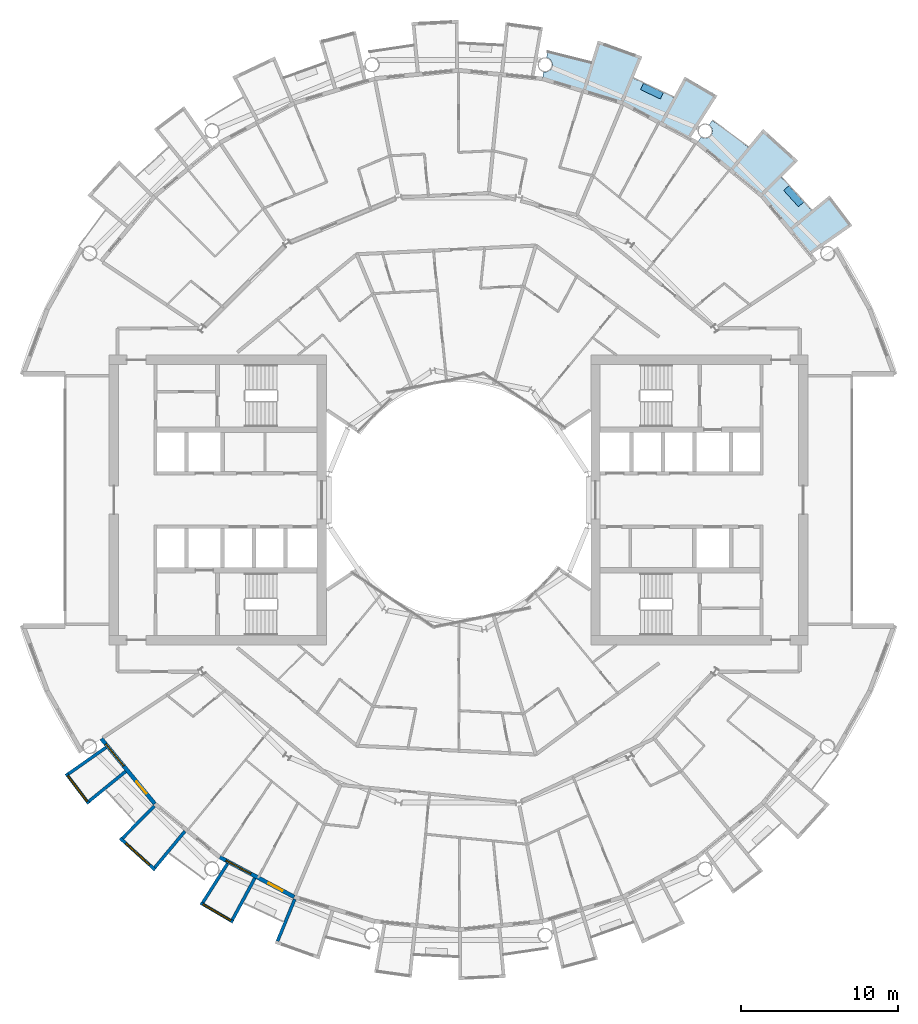
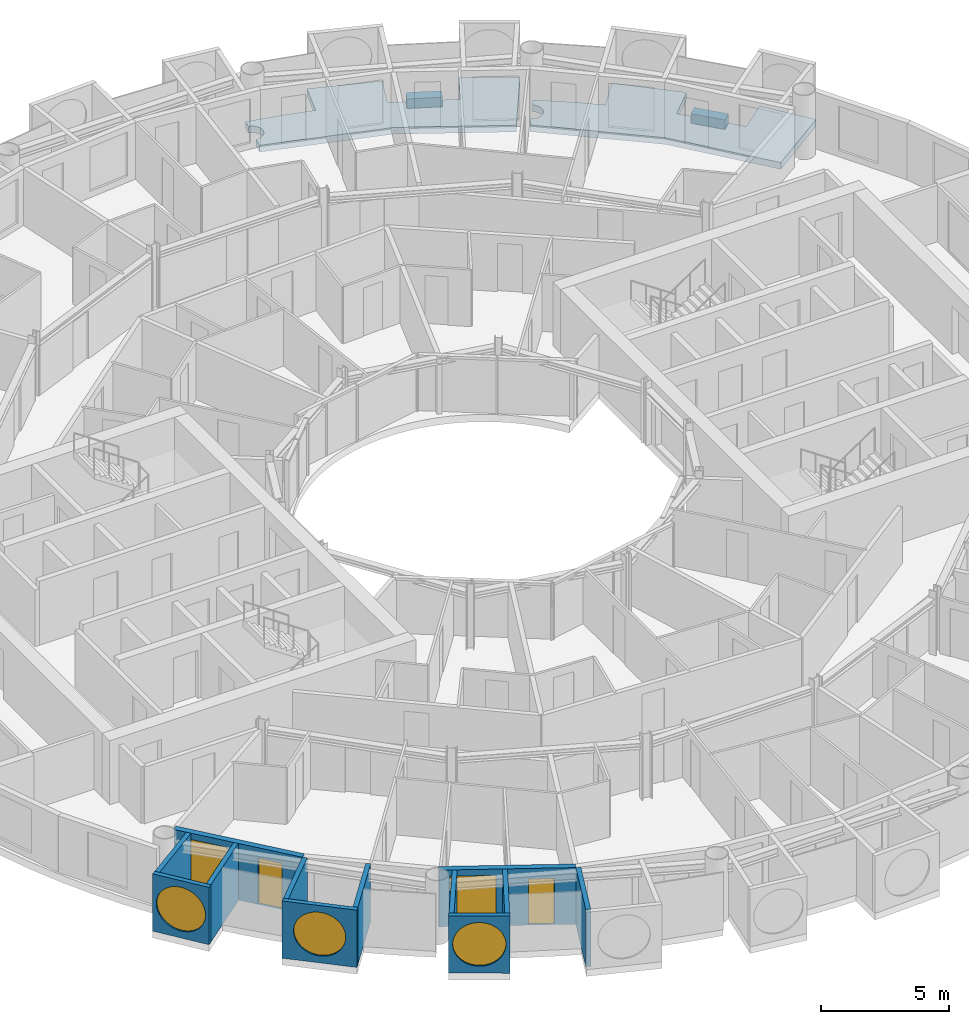
# One storey, part 13 of 27: 12 walls, 5 windows, 4 slabs, 2 doors, 7 openings.
"""IFC4 building model written with IfcOpenShell, lengths in metres."""

from ifc_helpers import new_model, si_unit, direction, frame, frame_2d, origin, place, context, subcontext, project, spatial, polyline, rectangle, circle, outline, extrude, material, layer, layer_set, type_object, element, fill, save


model = new_model("IFC4")

# Units and contexts
model_context = context("Model", 3, precision=1e-05, world=origin(), true_north=direction((0.0, 1.0)))
body_context = subcontext(model_context, "Body", "Model", "MODEL_VIEW")
ifc_project = project(units=[si_unit("LENGTHUNIT", "METRE"), si_unit("AREAUNIT", "SQUARE_METRE"), si_unit("VOLUMEUNIT", "CUBIC_METRE"), si_unit("PLANEANGLEUNIT", "RADIAN"), si_unit("MASSUNIT", "GRAM", prefix="KILO")], contexts=[model_context])

# Site, building, storey
site_placement = place(None, origin())
site = spatial("IfcSite", under=ifc_project, at=site_placement, CompositionType="ELEMENT")
building_placement = place(site_placement, origin())
building = spatial("IfcBuilding", under=site, at=building_placement, Name="Maasbend Ring Residences", CompositionType="ELEMENT")
storey_placement = place(building_placement, frame((0.0, 0.0, 114.699951171875)))
storey = spatial("IfcBuildingStorey", under=building, at=storey_placement, Name="L32", CompositionType="ELEMENT", Elevation=114.699951171875)

# Slabs
ifc_material_1 = material(Name="Planting with climbing greenery")
ifc_layer_1 = layer(ifc_material_1, 0.449951171875)
ifc_layer_set_1 = layer_set([ifc_layer_1], Name="PLANTER-LG")
slab_type_1 = type_object("IfcSlabType", Name="PLANTER-LG", PredefinedType="USERDEFINED", material=ifc_layer_set_1)
slab_1_placement = place(storey_placement, frame((0.0, 0.0, -0.030029296875)))
element("IfcSlab", 1, at=slab_1_placement, inside=storey, type_object=slab_type_1, Name="Planter with climbing greenery 1", ObjectType="PLANTER", PredefinedType="USERDEFINED", context=body_context, shape_type="SweptSolid", body=[
    extrude(outline(polyline([(21.931884765625, 18.93310546875), (20.991943359375, 19.969970703125), (20.657958984375, 19.66796875), (21.597900390625, 18.631103515625), (21.931884765625, 18.93310546875)])), origin(), (0.0, 0.0, 1.0), 0.4501953125),
])
slab_2_placement = place(storey_placement, frame((0.0, 0.0, -0.030029296875)))
element("IfcSlab", 2, at=slab_2_placement, inside=storey, type_object=slab_type_1, Name="Planter with climbing greenery 2", ObjectType="PLANTER", PredefinedType="USERDEFINED", context=body_context, shape_type="SweptSolid", body=[
    extrude(outline(polyline([(13.01708984375, 25.885009765625), (11.7509765625, 26.48291015625), (11.55908203125, 26.076904296875), (12.824951171875, 25.47802734375), (13.01708984375, 25.885009765625)])), origin(), (0.0, 0.0, 1.0), 0.4501953125),
])
ifc_material_2 = material(Name="Concrete C40/50", Category="concrete")
ifc_layer_2 = layer(ifc_material_2, 0.199951171875)
ifc_layer_set_2 = layer_set([ifc_layer_2], Name="Concrete C40/50")
slab_type_2 = type_object("IfcSlabType", Name="SL-LOGGIA", PredefinedType="FLOOR", material=ifc_layer_set_2)
slab_3_placement = place(storey_placement, frame((0.0, 0.0, -0.349853515625)))
element("IfcSlab", 3, at=slab_3_placement, inside=storey, type_object=slab_type_2, Name="Loggia floor 2", PredefinedType="FLOOR", context=body_context, shape_type="SweptSolid", body=[
    extrude(outline(polyline([(5.446044921875, 27.205078125), (5.45703125, 27.202880859375), (5.468017578125, 27.201904296875), (5.47900390625, 27.201904296875), (5.489990234375, 27.200927734375), (5.501953125, 27.200927734375), (5.512939453125, 27.200927734375), (5.52392578125, 27.201904296875), (5.534912109375, 27.201904296875), (5.5458984375, 27.202880859375), (5.556884765625, 27.205078125), (5.569091796875, 27.2060546875), (5.580078125, 27.2080078125), (5.591064453125, 27.2099609375), (5.60205078125, 27.2119140625), (5.613037109375, 27.215087890625), (5.623046875, 27.218017578125), (5.634033203125, 27.220947265625), (5.64501953125, 27.22412109375), (5.655029296875, 27.22802734375), (5.666015625, 27.23193359375), (5.676025390625, 27.236083984375), (5.68701171875, 27.239990234375), (5.697021484375, 27.2451171875), (5.70703125, 27.25), (5.717041015625, 27.2548828125), (5.72705078125, 27.260009765625), (5.736083984375, 27.26611328125), (5.74609375, 27.27197265625), (5.7548828125, 27.278076171875), (5.764892578125, 27.283935546875), (5.77392578125, 27.291015625), (5.782958984375, 27.298095703125), (5.791015625, 27.304931640625), (5.800048828125, 27.31201171875), (5.80810546875, 27.319091796875), (5.81689453125, 27.326904296875), (5.824951171875, 27.3349609375), (5.83203125, 27.343017578125), (5.840087890625, 27.35107421875), (5.847900390625, 27.360107421875), (5.85498046875, 27.367919921875), (5.862060546875, 27.376953125), (5.868896484375, 27.385986328125), (5.875, 27.39501953125), (5.881103515625, 27.404052734375), (5.887939453125, 27.4140625), (5.89306640625, 27.423095703125), (5.89892578125, 27.43310546875), (5.905029296875, 27.443115234375), (5.909912109375, 27.452880859375), (5.9150390625, 27.462890625), (5.9189453125, 27.472900390625), (5.924072265625, 27.48291015625), (5.927978515625, 27.493896484375), (5.931884765625, 27.50390625), (5.93505859375, 27.514892578125), (5.93896484375, 27.52490234375), (5.94189453125, 27.535888671875), (5.945068359375, 27.547119140625), (5.947021484375, 27.55810546875), (5.949951171875, 27.569091796875), (5.951904296875, 27.580078125), (5.9541015625, 27.591064453125), (5.955078125, 27.60205078125), (5.9560546875, 27.613037109375), (5.95703125, 27.6240234375), (5.9580078125, 27.635986328125), (5.9580078125, 27.64697265625), (5.9580078125, 27.657958984375), (5.9580078125, 27.6689453125), (5.9580078125, 27.680908203125), (5.95703125, 27.69189453125), (5.9560546875, 27.702880859375), (5.955078125, 27.714111328125), (5.9541015625, 27.72509765625), (5.951904296875, 27.736083984375), (5.949951171875, 27.7470703125), (5.947021484375, 27.758056640625), (5.945068359375, 27.76904296875), (5.94189453125, 27.780029296875), (5.93896484375, 27.791015625), (5.93505859375, 27.801025390625), (5.931884765625, 27.81201171875), (5.927978515625, 27.822998046875), (5.924072265625, 27.8330078125), (5.9189453125, 27.843017578125), (5.9150390625, 27.85302734375), (5.909912109375, 27.864013671875), (5.905029296875, 27.8740234375), (5.89892578125, 27.883056640625), (5.89306640625, 27.89306640625), (5.887939453125, 27.903076171875), (5.881103515625, 27.912109375), (5.875, 27.9208984375), (5.868896484375, 27.929931640625), (5.862060546875, 27.93896484375), (5.85498046875, 27.947998046875), (5.847900390625, 27.95703125), (5.840087890625, 27.965087890625), (5.83203125, 27.972900390625), (5.824951171875, 27.98095703125), (5.81689453125, 27.989013671875), (5.80810546875, 27.9970703125), (5.800048828125, 28.00390625), (5.791015625, 28.010986328125), (5.782958984375, 28.01806640625), (5.77392578125, 28.02490234375), (5.764892578125, 28.031982421875), (5.7548828125, 28.0380859375), (5.74609375, 28.0439453125), (5.736083984375, 28.050048828125), (5.72705078125, 28.055908203125), (5.717041015625, 28.06103515625), (5.70703125, 28.06591796875), (5.697021484375, 28.071044921875), (5.68701171875, 28.075927734375), (5.676025390625, 28.080078125), (5.666015625, 28.083984375), (5.655029296875, 28.087890625), (5.64501953125, 28.092041015625), (5.634033203125, 28.094970703125), (5.623046875, 28.09912109375), (5.613037109375, 28.10107421875), (5.60205078125, 28.10400390625), (5.591064453125, 28.10595703125), (5.657958984375, 28.443115234375), (5.657958984375, 28.443115234375), (5.657958984375, 28.443115234375), (6.5849609375, 28.241943359375), (6.5849609375, 28.241943359375), (7.506103515625, 28.011962890625), (7.506103515625, 28.011962890625), (8.41796875, 27.7509765625), (8.41796875, 27.7509765625), (8.41796875, 27.7509765625), (8.41796875, 27.7509765625), (8.41796875, 27.7509765625), (8.41796875, 27.7509765625), (8.41796875, 27.7509765625), (8.41796875, 27.7509765625), (8.41796875, 27.7509765625), (8.41796875, 27.7509765625), (8.41796875, 27.751953125), (8.41796875, 27.751953125), (8.41796875, 27.751953125), (8.41796875, 27.751953125), (8.41796875, 27.751953125), (8.41796875, 27.751953125), (8.41796875, 27.751953125), (8.85400390625, 29.18701171875), (8.85400390625, 29.18701171875), (8.85400390625, 29.18701171875), (11.672119140625, 28.177978515625), (11.672119140625, 28.177978515625), (11.672119140625, 28.177978515625), (11.097900390625, 26.79296875), (11.097900390625, 26.79296875), (11.097900390625, 26.79296875), (11.097900390625, 26.79296875), (11.097900390625, 26.79296875), (11.097900390625, 26.79296875), (11.097900390625, 26.79296875), (11.097900390625, 26.79296875), (11.097900390625, 26.79296875), (11.097900390625, 26.79296875), (11.097900390625, 26.7919921875), (11.097900390625, 26.7919921875), (11.097900390625, 26.7919921875), (11.097900390625, 26.7919921875), (11.097900390625, 26.7919921875), (11.097900390625, 26.7919921875), (11.097900390625, 26.7919921875), (11.968994140625, 26.4150390625), (11.968994140625, 26.4150390625), (12.825927734375, 26.009033203125), (12.825927734375, 26.009033203125), (13.669921875, 25.575927734375), (13.669921875, 25.575927734375), (13.669921875, 25.575927734375), (13.669921875, 25.575927734375), (13.669921875, 25.575927734375), (13.669921875, 25.575927734375), (13.669921875, 25.575927734375), (13.669921875, 25.575927734375), (13.669921875, 25.575927734375), (13.669921875, 25.575927734375), (13.6708984375, 25.575927734375), (13.6708984375, 25.575927734375), (13.6708984375, 25.575927734375), (13.6708984375, 25.575927734375), (13.6708984375, 25.575927734375), (13.6708984375, 25.575927734375), (13.6708984375, 25.575927734375), (14.3779296875, 26.89892578125), (14.3779296875, 26.89892578125), (14.3779296875, 26.89892578125), (16.44091796875, 25.68994140625), (16.44091796875, 25.68994140625), (16.44091796875, 25.68994140625), (14.68994140625, 22.9541015625), (14.68994140625, 22.9541015625), (14.68994140625, 22.9541015625), (12.806884765625, 23.9609375), (10.447021484375, 25.221923828125), (10.447021484375, 25.221923828125), (10.447021484375, 25.221923828125), (7.886962890625, 25.9990234375), (5.325927734375, 26.77490234375), (5.325927734375, 26.77490234375), (5.325927734375, 26.77490234375), (5.412109375, 27.2099609375), (5.423095703125, 27.2080078125), (5.43408203125, 27.2060546875), (5.446044921875, 27.205078125)])), origin(), (0.0, 0.0, 1.0), 0.31982421875),
])
slab_4_placement = place(storey_placement, frame((0.0, 0.0, -0.349853515625)))
element("IfcSlab", 4, at=slab_4_placement, inside=storey, type_object=slab_type_2, Name="Loggia floor 5", PredefinedType="FLOOR", context=body_context, shape_type="SweptSolid", body=[
    extrude(outline(polyline([(15.431884765625, 23.054931640625), (15.44189453125, 23.050048828125), (15.451904296875, 23.0439453125), (15.4619140625, 23.0390625), (15.471923828125, 23.033935546875), (15.48193359375, 23.030029296875), (15.491943359375, 23.02490234375), (15.5029296875, 23.02099609375), (15.512939453125, 23.01708984375), (15.52392578125, 23.012939453125), (15.533935546875, 23.010009765625), (15.544921875, 23.007080078125), (15.555908203125, 23.00390625), (15.56689453125, 23.001953125), (15.577880859375, 22.9990234375), (15.589111328125, 22.9970703125), (15.60009765625, 22.9951171875), (15.611083984375, 22.993896484375), (15.6220703125, 22.992919921875), (15.633056640625, 22.991943359375), (15.64501953125, 22.990966796875), (15.656005859375, 22.990966796875), (15.6669921875, 22.989990234375), (15.677978515625, 22.990966796875), (15.68994140625, 22.990966796875), (15.700927734375, 22.991943359375), (15.7119140625, 22.992919921875), (15.722900390625, 22.993896484375), (15.73388671875, 22.9951171875), (15.7451171875, 22.9970703125), (15.756103515625, 22.9990234375), (15.76708984375, 23.001953125), (15.778076171875, 23.00390625), (15.7890625, 23.007080078125), (15.800048828125, 23.010009765625), (15.81005859375, 23.012939453125), (15.821044921875, 23.01708984375), (15.83203125, 23.02099609375), (15.842041015625, 23.02490234375), (15.85205078125, 23.030029296875), (15.862060546875, 23.033935546875), (15.873046875, 23.0390625), (15.883056640625, 23.0439453125), (15.89208984375, 23.050048828125), (15.902099609375, 23.054931640625), (15.912109375, 23.06103515625), (15.9208984375, 23.06689453125), (15.929931640625, 23.073974609375), (15.93896484375, 23.080078125), (15.947998046875, 23.0869140625), (15.95703125, 23.093994140625), (15.966064453125, 23.10107421875), (15.97412109375, 23.10888671875), (15.98193359375, 23.115966796875), (15.989990234375, 23.1240234375), (15.998046875, 23.132080078125), (16.006103515625, 23.139892578125), (16.012939453125, 23.14892578125), (16.02001953125, 23.156982421875), (16.027099609375, 23.166015625), (16.033935546875, 23.175048828125), (16.041015625, 23.18408203125), (16.047119140625, 23.194091796875), (16.052978515625, 23.202880859375), (16.05908203125, 23.2119140625), (16.06494140625, 23.221923828125), (16.070068359375, 23.23193359375), (16.074951171875, 23.241943359375), (16.080078125, 23.251953125), (16.0849609375, 23.261962890625), (16.089111328125, 23.27294921875), (16.093017578125, 23.282958984375), (16.096923828125, 23.29296875), (16.10107421875, 23.303955078125), (16.10400390625, 23.31494140625), (16.10791015625, 23.325927734375), (16.110107421875, 23.3359375), (16.113037109375, 23.346923828125), (16.114990234375, 23.35791015625), (16.116943359375, 23.368896484375), (16.118896484375, 23.3798828125), (16.12109375, 23.39111328125), (16.1220703125, 23.403076171875), (16.123046875, 23.4140625), (16.1240234375, 23.425048828125), (16.1240234375, 23.43603515625), (16.1240234375, 23.447021484375), (16.1240234375, 23.458984375), (16.1240234375, 23.469970703125), (16.123046875, 23.48095703125), (16.1220703125, 23.491943359375), (16.12109375, 23.5029296875), (16.118896484375, 23.513916015625), (16.116943359375, 23.52587890625), (16.114990234375, 23.537109375), (16.113037109375, 23.548095703125), (16.110107421875, 23.55810546875), (16.10791015625, 23.569091796875), (16.10400390625, 23.580078125), (16.10107421875, 23.591064453125), (16.096923828125, 23.60107421875), (16.093017578125, 23.612060546875), (16.089111328125, 23.6220703125), (16.0849609375, 23.633056640625), (16.080078125, 23.64306640625), (16.074951171875, 23.653076171875), (16.070068359375, 23.6630859375), (16.06494140625, 23.673095703125), (16.05908203125, 23.681884765625), (16.052978515625, 23.69189453125), (16.047119140625, 23.700927734375), (16.041015625, 23.7109375), (16.033935546875, 23.719970703125), (16.027099609375, 23.72900390625), (16.02001953125, 23.737060546875), (16.012939453125, 23.74609375), (16.006103515625, 23.75390625), (15.998046875, 23.762939453125), (15.989990234375, 23.77099609375), (15.98193359375, 23.778076171875), (15.97412109375, 23.785888671875), (15.966064453125, 23.79296875), (15.95703125, 23.801025390625), (15.947998046875, 23.80810546875), (15.93896484375, 23.81396484375), (15.929931640625, 23.821044921875), (15.9208984375, 23.826904296875), (15.9208984375, 23.826904296875), (16.112060546875, 24.113037109375), (16.112060546875, 24.113037109375), (16.112060546875, 24.113037109375), (16.89208984375, 23.572998046875), (16.89208984375, 23.572998046875), (17.654052734375, 23.007080078125), (17.654052734375, 23.007080078125), (18.39697265625, 22.41796875), (18.39697265625, 22.41796875), (18.39697265625, 22.41796875), (18.39697265625, 22.41796875), (18.39697265625, 22.41796875), (18.39697265625, 22.41796875), (18.39697265625, 22.41796875), (18.39697265625, 22.41796875), (18.39697265625, 22.41796875), (18.39697265625, 22.41796875), (18.39697265625, 22.41796875), (18.39794921875, 22.41796875), (18.39794921875, 22.41796875), (18.39794921875, 22.41796875), (18.39794921875, 22.41796875), (18.39794921875, 22.41796875), (18.39794921875, 22.41796875), (19.34912109375, 23.576904296875), (19.34912109375, 23.576904296875), (19.34912109375, 23.576904296875), (21.56689453125, 21.56689453125), (21.56689453125, 21.56689453125), (21.56689453125, 21.56689453125), (20.506103515625, 20.506103515625), (20.506103515625, 20.506103515625), (20.506103515625, 20.506103515625), (20.506103515625, 20.506103515625), (20.506103515625, 20.506103515625), (20.506103515625, 20.506103515625), (20.506103515625, 20.506103515625), (20.506103515625, 20.506103515625), (20.506103515625, 20.506103515625), (20.506103515625, 20.506103515625), (20.506103515625, 20.506103515625), (20.506103515625, 20.506103515625), (20.506103515625, 20.506103515625), (20.506103515625, 20.506103515625), (20.506103515625, 20.506103515625), (20.506103515625, 20.506103515625), (20.506103515625, 20.506103515625), (21.166015625, 19.823974609375), (21.166015625, 19.823974609375), (21.802978515625, 19.12109375), (21.802978515625, 19.12109375), (22.4169921875, 18.39794921875), (22.4169921875, 18.39794921875), (22.4169921875, 18.39794921875), (22.4169921875, 18.39794921875), (22.4169921875, 18.39794921875), (22.4169921875, 18.39794921875), (22.4169921875, 18.39794921875), (22.4169921875, 18.39794921875), (22.4169921875, 18.39794921875), (22.4169921875, 18.39794921875), (22.4169921875, 18.39794921875), (22.4169921875, 18.39794921875), (22.41796875, 18.39794921875), (22.41796875, 18.39794921875), (22.41796875, 18.39794921875), (22.41796875, 18.39794921875), (22.41796875, 18.39794921875), (23.576904296875, 19.34912109375), (23.576904296875, 19.34912109375), (23.576904296875, 19.34912109375), (25.02001953125, 17.44189453125), (25.02001953125, 17.44189453125), (25.02001953125, 17.44189453125), (22.35595703125, 15.5849609375), (22.35595703125, 15.5849609375), (22.35595703125, 15.5849609375), (21.001953125, 17.236083984375), (19.303955078125, 19.303955078125), (19.303955078125, 19.303955078125), (19.303955078125, 19.303955078125), (17.236083984375, 21.001953125), (15.1669921875, 22.698974609375), (15.1669921875, 22.698974609375), (15.1669921875, 22.698974609375), (15.4130859375, 23.06689453125), (15.4130859375, 23.06689453125), (15.423095703125, 23.06103515625), (15.431884765625, 23.054931640625)])), origin(), (0.0, 0.0, 1.0), 0.31982421875),
])

# Wall, opening, window
ifc_material_3 = material(Name="Pale anodised aluminium panel", Category="aluminium")
ifc_layer_3 = layer(ifc_material_3, 0.199951171875)
ifc_layer_set_3 = layer_set([ifc_layer_3], Name="EW-BOX")
wall_type_1 = type_object("IfcWallType", Name="EW-BOX", PredefinedType="SOLIDWALL", material=ifc_layer_set_3)
wall_1_placement = place(storey_placement, frame((-24.93994140625, -17.382080078125, -0.030029296875), z_axis=(0.0, 0.0, 1.0), x_axis=(0.603375996329, -0.797456837111, 0.0)))
wall_1 = element("IfcWall", 5, at=wall_1_placement, inside=storey, type_object=wall_type_1, Name="Box front S01", PredefinedType="SOLIDWALL", context=body_context, shape_type="SweptSolid", body=[
    extrude(rectangle(XDim=2.391357421875, YDim=0.199951171875, at=frame_2d((1.19580078125, 0.0))), origin(), (0.0, 0.0, 1.0), 2.72998046875),
])
opening_1_placement = place(wall_1_placement, frame((0.15576171875, 0.0, 0.330078125)))
opening_1 = element("IfcOpeningElement", 6, at=opening_1_placement, cuts=wall_1, Name="Opening W-RD", PredefinedType="OPENING", context=body_context, shape_type="SweptSolid", body=[
    extrude(circle(Radius=1.0400390625, at=frame_2d((1.0400390625, 1.0400390625))), frame((0.0, 0.10986328125, 0.0), z_axis=(0.0, -1.0, 0.0), x_axis=(1.0, 0.0, 0.0)), (0.0, 0.0, 1.0), 0.219970703125),
])
ifc_material_4 = material(Name="Aluminium and clear glass", Category="aluminium")
window_type_1 = type_object("IfcWindowType", Name="W-RD", PartitioningType="SINGLE_PANEL", PredefinedType="WINDOW", material=ifc_material_4)
window_1_placement = place(opening_1_placement, origin())
window_1 = element("IfcWindow", 7, at=window_1_placement, inside=storey, type_object=window_type_1, Name="Round window S01", OverallHeight=2.080078125, OverallWidth=2.080078125, PartitioningType="SINGLE_PANEL", PredefinedType="WINDOW", context=body_context, shape_type="SweptSolid", body=[
    extrude(circle(Radius=1.0400390625, at=frame_2d((1.0400390625, 1.0400390625))), frame((0.0, 0.030029296875, 0.0), z_axis=(0.0, -1.0, 0.0), x_axis=(1.0, 0.0, 0.0)), (0.0, 0.0, 1.0), 0.06005859375),
])
fill(opening_1, window_1)

# Walls
wall_2_placement = place(storey_placement, frame((-22.402099609375, -15.72607421875, -0.030029296875), z_axis=(0.0, 0.0, 1.0), x_axis=(-0.818275399393, -0.574826383135, 0.0)))
element("IfcWall", 8, at=wall_2_placement, inside=storey, type_object=wall_type_1, Name="Box side wall S01 left", PredefinedType="SOLIDWALL", context=body_context, shape_type="SweptSolid", body=[
    extrude(rectangle(XDim=2.92919921875, YDim=0.199951171875, at=frame_2d((1.464599609375, 0.0))), origin(), (0.0, 0.0, 1.0), 2.72998046875),
])
wall_3_placement = place(storey_placement, frame((-21.155029296875, -17.24609375, -0.030029296875), z_axis=(0.0, 0.0, 1.0), x_axis=(-0.775179004516, -0.631741648902, 0.0)))
element("IfcWall", 9, at=wall_3_placement, inside=storey, type_object=wall_type_1, Name="Box side wall S01 right", PredefinedType="SOLIDWALL", context=body_context, shape_type="SweptSolid", body=[
    extrude(rectangle(XDim=3.005859375, YDim=0.199951171875, at=frame_2d((1.5029296875, 0.0))), origin(), (0.0, 0.0, 1.0), 2.72998046875),
])

# Wall, opening, window
wall_4_placement = place(storey_placement, frame((-21.5, -21.492919921875, -0.030029296875), z_axis=(0.0, 0.0, 1.0), x_axis=(0.740998365753, -0.671506829416, 0.0)))
wall_4 = element("IfcWall", 10, at=wall_4_placement, inside=storey, type_object=wall_type_1, Name="Box front S03", PredefinedType="SOLIDWALL", context=body_context, shape_type="SweptSolid", body=[
    extrude(rectangle(XDim=2.9931640625, YDim=0.199951171875, at=frame_2d((1.49658203125, 0.0))), origin(), (0.0, 0.0, 1.0), 2.72998046875),
])
opening_2_placement = place(wall_4_placement, frame((0.45654296875, 0.0, 0.330078125)))
opening_2 = element("IfcOpeningElement", 11, at=opening_2_placement, cuts=wall_4, Name="Opening W-RD", PredefinedType="OPENING", context=body_context, shape_type="SweptSolid", body=[
    extrude(circle(Radius=1.0400390625, at=frame_2d((1.0400390625, 1.0400390625))), frame((0.0, 0.10986328125, 0.0), z_axis=(0.0, -1.0, 0.0), x_axis=(1.0, 0.0, 0.0)), (0.0, 0.0, 1.0), 0.219970703125),
])
window_2_placement = place(opening_2_placement, origin())
window_2 = element("IfcWindow", 12, at=window_2_placement, inside=storey, type_object=window_type_1, Name="Round window S03", OverallHeight=2.080078125, OverallWidth=2.080078125, PartitioningType="SINGLE_PANEL", PredefinedType="WINDOW", context=body_context, shape_type="SweptSolid", body=[
    extrude(circle(Radius=1.0400390625, at=frame_2d((1.0400390625, 1.0400390625))), frame((0.0, 0.030029296875, 0.0), z_axis=(0.0, -1.0, 0.0), x_axis=(1.0, 0.0, 0.0)), (0.0, 0.0, 1.0), 0.06005859375),
])
fill(opening_2, window_2)

# Walls
wall_5_placement = place(storey_placement, frame((-19.322998046875, -19.449951171875, -0.030029296875), z_axis=(0.0, 0.0, 1.0), x_axis=(-0.704476739375, -0.709727076896, 0.0)))
element("IfcWall", 13, at=wall_5_placement, inside=storey, type_object=wall_type_1, Name="Box side wall S03 left", PredefinedType="SOLIDWALL", context=body_context, shape_type="SweptSolid", body=[
    extrude(rectangle(XDim=2.883056640625, YDim=0.199951171875, at=frame_2d((1.44140625, 0.0))), origin(), (0.0, 0.0, 1.0), 2.72998046875),
])
wall_6_placement = place(storey_placement, frame((-17.384033203125, -21.041015625, -0.030029296875), z_axis=(0.0, 0.0, 1.0), x_axis=(-0.63709551667, -0.770784861449, 0.0)))
element("IfcWall", 14, at=wall_6_placement, inside=storey, type_object=wall_type_1, Name="Box side wall S03 right", PredefinedType="SOLIDWALL", context=body_context, shape_type="SweptSolid", body=[
    extrude(rectangle(XDim=3.005859375, YDim=0.199951171875, at=frame_2d((1.5029296875, 0.0))), origin(), (0.0, 0.0, 1.0), 2.72998046875),
])

# Wall, opening, window
wall_7_placement = place(storey_placement, frame((-16.389892578125, -25.60302734375, -0.030029296875), z_axis=(0.0, 0.0, 1.0), x_axis=(0.862762477128, -0.505609442218, 0.0)))
wall_7 = element("IfcWall", 15, at=wall_7_placement, inside=storey, type_object=wall_type_1, Name="Box front S05", PredefinedType="SOLIDWALL", context=body_context, shape_type="SweptSolid", body=[
    extrude(rectangle(XDim=2.39111328125, YDim=0.199951171875, at=frame_2d((1.195556640625, 0.0))), origin(), (0.0, 0.0, 1.0), 2.72998046875),
])
opening_3_placement = place(wall_7_placement, frame((0.15576171875, 0.0, 0.330078125)))
opening_3 = element("IfcOpeningElement", 16, at=opening_3_placement, cuts=wall_7, Name="Opening W-RD", PredefinedType="OPENING", context=body_context, shape_type="SweptSolid", body=[
    extrude(circle(Radius=1.0400390625, at=frame_2d((1.0400390625, 1.0400390625))), frame((0.0, 0.10986328125, 0.0), z_axis=(0.0, -1.0, 0.0), x_axis=(1.0, 0.0, 0.0)), (0.0, 0.0, 1.0), 0.219970703125),
])
window_3_placement = place(opening_3_placement, origin())
window_3 = element("IfcWindow", 17, at=window_3_placement, inside=storey, type_object=window_type_1, Name="Round window S05", OverallHeight=2.080078125, OverallWidth=2.080078125, PartitioningType="SINGLE_PANEL", PredefinedType="WINDOW", context=body_context, shape_type="SweptSolid", body=[
    extrude(circle(Radius=1.0400390625, at=frame_2d((1.0400390625, 1.0400390625))), frame((0.0, 0.030029296875, 0.0), z_axis=(0.0, -1.0, 0.0), x_axis=(1.0, 0.0, 0.0)), (0.0, 0.0, 1.0), 0.06005859375),
])
fill(opening_3, window_3)

# Walls
wall_8_placement = place(storey_placement, frame((-14.677978515625, -23.10205078125, -0.030029296875), z_axis=(0.0, 0.0, 1.0), x_axis=(-0.536001536573, -0.844217005746, 0.0)))
element("IfcWall", 18, at=wall_8_placement, inside=storey, type_object=wall_type_1, Name="Box side wall S05 left", PredefinedType="SOLIDWALL", context=body_context, shape_type="SweptSolid", body=[
    extrude(rectangle(XDim=2.92919921875, YDim=0.199951171875, at=frame_2d((1.464599609375, 0.0))), origin(), (0.0, 0.0, 1.0), 2.72998046875),
])
wall_9_placement = place(storey_placement, frame((-12.945068359375, -24.029052734375, -0.030029296875), z_axis=(0.0, 0.0, 1.0), x_axis=(-0.474424310775, -0.88029629861, 0.0)))
element("IfcWall", 19, at=wall_9_placement, inside=storey, type_object=wall_type_1, Name="Box side wall S05 right", PredefinedType="SOLIDWALL", context=body_context, shape_type="SweptSolid", body=[
    extrude(rectangle(XDim=3.005859375, YDim=0.199951171875, at=frame_2d((1.5029296875, 0.0))), origin(), (0.0, 0.0, 1.0), 2.72998046875),
])
wall_10_placement = place(storey_placement, frame((-10.408935546875, -25.364013671875, -0.030029296875), z_axis=(0.0, 0.0, 1.0), x_axis=(-0.379509886562, -0.925187681501, 0.0)))
element("IfcWall", 20, at=wall_10_placement, inside=storey, type_object=wall_type_1, Name="Box side wall S07 left", PredefinedType="SOLIDWALL", context=body_context, shape_type="SweptSolid", body=[
    extrude(rectangle(XDim=2.882568359375, YDim=0.199951171875, at=frame_2d((1.44140625, 0.0))), origin(), (0.0, 0.0, 1.0), 2.72998046875),
])

# Wall, openings, door, window
ifc_material_5 = material(Name="Aluminium clad insulated panel", Category="aluminium")
ifc_layer_4 = layer(ifc_material_5, 0.25)
ifc_layer_set_4 = layer_set([ifc_layer_4], Name="EW-GL")
wall_type_2 = type_object("IfcWallType", Name="EW-GL", PredefinedType="SOLIDWALL", material=ifc_layer_set_4)
wall_11_placement = place(storey_placement, frame((-22.698974609375, -15.1669921875, 0.0), z_axis=(0.0, 0.0, 1.0), x_axis=(0.634382322723, -0.773019449054, 0.0)))
wall_11 = element("IfcWall", 21, at=wall_11_placement, inside=storey, type_object=wall_type_2, Name="External wall S01", PredefinedType="SOLIDWALL", context=body_context, shape_type="SweptSolid", body=[
    extrude(rectangle(XDim=5.351806640625, YDim=0.25, at=frame_2d((2.67578125, 0.0))), origin(), (0.0, 0.0, 1.0), 2.699951171875),
])
opening_4_placement = place(wall_11_placement, frame((0.441162109375, 0.0, 0.300048828125)))
opening_4 = element("IfcOpeningElement", 22, at=opening_4_placement, cuts=wall_11, Name="Opening W-BX", PredefinedType="OPENING", context=body_context, shape_type="SweptSolid", body=[
    extrude(rectangle(XDim=1.800048828125, YDim=2.10009765625, at=frame_2d((0.89990234375, 1.050048828125))), frame((0.0, 0.135009765625, 0.0), z_axis=(0.0, -1.0, 0.0), x_axis=(1.0, 0.0, 0.0)), (0.0, 0.0, 1.0), 0.27001953125),
])
opening_5_placement = place(wall_11_placement, frame((3.510498046875, 0.0, 0.0)))
opening_5 = element("IfcOpeningElement", 23, at=opening_5_placement, cuts=wall_11, Name="Opening D-LG", PredefinedType="OPENING", context=body_context, shape_type="SweptSolid", body=[
    extrude(rectangle(XDim=1.0, YDim=2.199951171875, at=frame_2d((0.5, 1.10009765625))), frame((0.0, 0.135009765625, 0.0), z_axis=(0.0, -1.0, 0.0), x_axis=(1.0, 0.0, 0.0)), (0.0, 0.0, 1.0), 0.27001953125),
])
ifc_material_6 = material(Name="Aluminium and clear glass", Category="aluminium")
door_type = type_object("IfcDoorType", Name="D-LG", OperationType="SINGLE_SWING_LEFT", PredefinedType="DOOR", material=ifc_material_6)
door_1_placement = place(opening_5_placement, origin())
door_1 = element("IfcDoor", 24, at=door_1_placement, inside=storey, type_object=door_type, Name="Loggia door S02", OperationType="SINGLE_SWING_LEFT", OverallHeight=2.199951171875, OverallWidth=1.0, PredefinedType="DOOR", context=body_context, shape_type="SweptSolid", body=[
    extrude(rectangle(XDim=1.0, YDim=2.199951171875, at=frame_2d((0.5, 1.10009765625))), frame((0.0, 0.02490234375, 0.0), z_axis=(0.0, -1.0, 0.0), x_axis=(1.0, 0.0, 0.0)), (0.0, 0.0, 1.0), 0.050048828125),
])
fill(opening_5, door_1)
ifc_material_7 = material(Name="Aluminium and clear glass", Category="aluminium")
window_type_2 = type_object("IfcWindowType", Name="W-BX", PartitioningType="DOUBLE_PANEL_VERTICAL", PredefinedType="WINDOW", material=ifc_material_7)
window_4_placement = place(opening_4_placement, origin())
window_4 = element("IfcWindow", 25, at=window_4_placement, inside=storey, type_object=window_type_2, Name="Window S01 room to box", OverallHeight=2.10009765625, OverallWidth=1.800048828125, PartitioningType="SINGLE_PANEL", PredefinedType="WINDOW", context=body_context, shape_type="SweptSolid", body=[
    extrude(rectangle(XDim=1.800048828125, YDim=2.10009765625, at=frame_2d((0.89990234375, 1.050048828125))), frame((0.0, 0.030029296875, 0.0), z_axis=(0.0, -1.0, 0.0), x_axis=(1.0, 0.0, 0.0)), (0.0, 0.0, 1.0), 0.06005859375),
])
fill(opening_4, window_4)

wall_12_placement = place(storey_placement, frame((-15.1669921875, -22.698974609375, 0.0), z_axis=(0.0, 0.0, 1.0), x_axis=(0.881915646801, -0.471407246368, 0.0)))
wall_12 = element("IfcWall", 26, at=wall_12_placement, inside=storey, type_object=wall_type_2, Name="External wall S03", PredefinedType="SOLIDWALL", context=body_context, shape_type="SweptSolid", body=[
    extrude(rectangle(XDim=5.35205078125, YDim=0.25, at=frame_2d((2.676025390625, 0.0))), origin(), (0.0, 0.0, 1.0), 2.699951171875),
])
opening_6_placement = place(wall_12_placement, frame((0.441162109375, 0.0, 0.300048828125)))
opening_6 = element("IfcOpeningElement", 27, at=opening_6_placement, cuts=wall_12, Name="Opening W-BX", PredefinedType="OPENING", context=body_context, shape_type="SweptSolid", body=[
    extrude(rectangle(XDim=1.800048828125, YDim=2.10009765625, at=frame_2d((0.89990234375, 1.050048828125))), frame((0.0, 0.135009765625, 0.0), z_axis=(0.0, -1.0, 0.0), x_axis=(1.0, 0.0, 0.0)), (0.0, 0.0, 1.0), 0.27001953125),
])
opening_7_placement = place(wall_12_placement, frame((3.510498046875, 0.0, 0.0)))
opening_7 = element("IfcOpeningElement", 28, at=opening_7_placement, cuts=wall_12, Name="Opening D-LG", PredefinedType="OPENING", context=body_context, shape_type="SweptSolid", body=[
    extrude(rectangle(XDim=1.0, YDim=2.199951171875, at=frame_2d((0.5, 1.10009765625))), frame((0.0, 0.135009765625, 0.0), z_axis=(0.0, -1.0, 0.0), x_axis=(1.0, 0.0, 0.0)), (0.0, 0.0, 1.0), 0.27001953125),
])
door_2_placement = place(opening_7_placement, origin())
door_2 = element("IfcDoor", 29, at=door_2_placement, inside=storey, type_object=door_type, Name="Loggia door S06", OperationType="SINGLE_SWING_LEFT", OverallHeight=2.199951171875, OverallWidth=1.0, PredefinedType="DOOR", context=body_context, shape_type="SweptSolid", body=[
    extrude(rectangle(XDim=1.0, YDim=2.199951171875, at=frame_2d((0.5, 1.10009765625))), frame((0.0, 0.02490234375, 0.0), z_axis=(0.0, -1.0, 0.0), x_axis=(1.0, 0.0, 0.0)), (0.0, 0.0, 1.0), 0.050048828125),
])
fill(opening_7, door_2)
window_5_placement = place(opening_6_placement, origin())
window_5 = element("IfcWindow", 30, at=window_5_placement, inside=storey, type_object=window_type_2, Name="Window S05 room to box", OverallHeight=2.10009765625, OverallWidth=1.800048828125, PartitioningType="SINGLE_PANEL", PredefinedType="WINDOW", context=body_context, shape_type="SweptSolid", body=[
    extrude(rectangle(XDim=1.800048828125, YDim=2.10009765625, at=frame_2d((0.89990234375, 1.050048828125))), frame((0.0, 0.030029296875, 0.0), z_axis=(0.0, -1.0, 0.0), x_axis=(1.0, 0.0, 0.0)), (0.0, 0.0, 1.0), 0.06005859375),
])
fill(opening_6, window_5)

save(model, "model.ifc")
